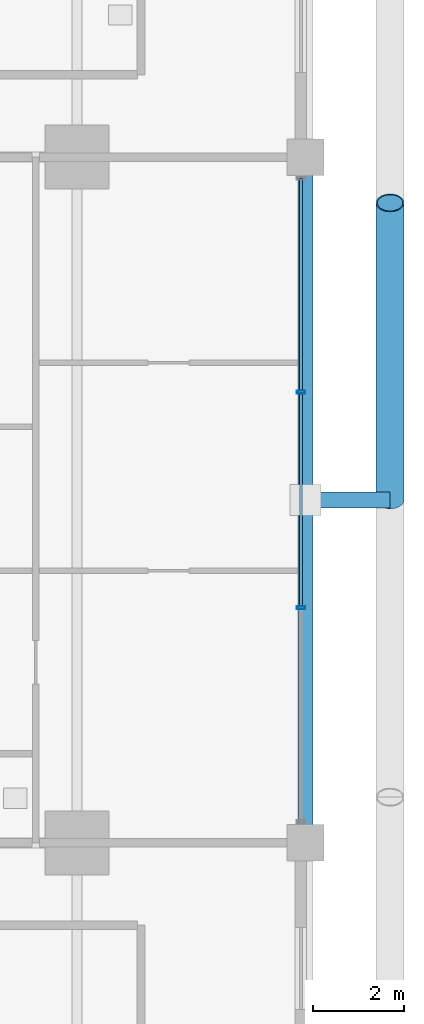
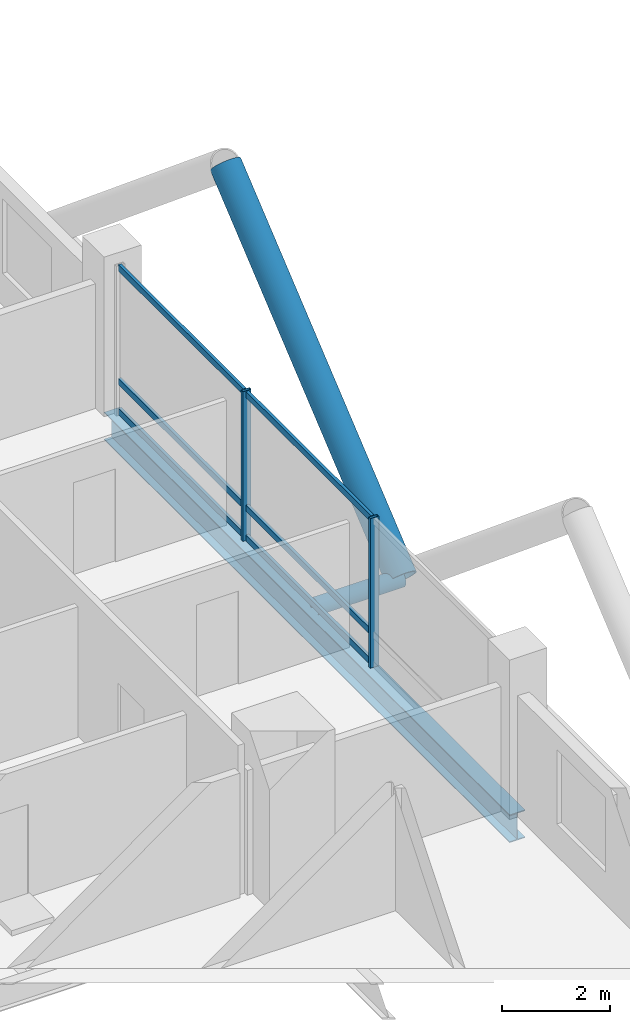
# One storey, part 12 of 27: 10 members, 1 beam, 1 element without a shape of its own.
"""IFC4 building model written with IfcOpenShell, lengths in metres."""

from ifc_helpers import new_model, si_unit, direction, frame, origin, origin_2d, place, context, subcontext, project, spatial, hollow_rectangle, hollow_circle, i_section, extrude, material, layer, layer_set, material_profile, profile_set, type_object, element, aggregate, save


model = new_model("IFC4")

# Units and contexts
model_context = context("Model", 3, precision=1e-05, world=origin(), true_north=direction((0.0, 1.0)))
body_context = subcontext(model_context, "Body", "Model", "MODEL_VIEW")
ifc_project = project(units=[si_unit("LENGTHUNIT", "METRE"), si_unit("AREAUNIT", "SQUARE_METRE"), si_unit("VOLUMEUNIT", "CUBIC_METRE"), si_unit("PLANEANGLEUNIT", "RADIAN"), si_unit("MASSUNIT", "GRAM", prefix="KILO")], contexts=[model_context])

# Site, building, storey
site_placement = place(None, origin())
site = spatial("IfcSite", under=ifc_project, at=site_placement, CompositionType="ELEMENT")
building_placement = place(site_placement, origin())
building = spatial("IfcBuilding", under=site, at=building_placement, Name="Barlavira Tower and Art Museum", CompositionType="ELEMENT")
storey_placement = place(building_placement, frame((0.0, 0.0, 50.39990234375)))
storey = spatial("IfcBuildingStorey", under=building, at=storey_placement, Name="L11", CompositionType="ELEMENT", Elevation=50.39990234375)

# Curtain wall, members
ifc_material_1 = material(Name="Low-iron coastal laminated glass", Category="glass")
ifc_layer = layer(ifc_material_1, 0.179931640625, Name="Low-iron coastal laminated glass")
ifc_layer_set = layer_set([ifc_layer], Name="Low-iron coastal laminated glass")
curtain_wall_type = type_object("IfcCurtainWallType", Name="Pale-Metal Unitised Curtain Wall Zone 1", PredefinedType="NOTDEFINED", material=ifc_layer_set)
curtain_wall_placement = place(storey_placement, origin())
curtain_wall = element("IfcCurtainWall", 1, at=curtain_wall_placement, inside=storey, type_object=curtain_wall_type, Name="L11 Curtain Wall CW1-L11-E-B3", PredefinedType="NOTDEFINED")
ifc_material_2 = material(Name="Pale anodised aluminium", Category="aluminium")
ifc_material_profile_1 = material_profile(ifc_material_2, hollow_rectangle(XDim=0.06494140625, YDim=0.179931640625, WallThickness=0.00390625, at=origin_2d()), Name="ALU-MULL 65x180x4")
ifc_profile_set_1 = profile_set([ifc_material_profile_1], Name="Pale anodised aluminium")
member_type_1 = type_object("IfcMemberType", Name="Curtain Wall Pale-Metal Mullion 65x180", PredefinedType="MULLION", material=ifc_profile_set_1)
member_1_placement = place(storey_placement, frame((21.89990234375, -2.360107421875, 0.0), z_axis=(0.0, 0.0, 1.0), x_axis=(0.0, 1.0, 0.0)))
member_1 = element("IfcMember", 2, at=member_1_placement, type_object=member_type_1, Name="CW1-L11-E-B3 Mullion 1", PredefinedType="MULLION", context=body_context, shape_type="SweptSolid", body=[
    extrude(hollow_rectangle(XDim=0.06494140625, YDim=0.179931640625, WallThickness=0.00390625, at=origin_2d()), origin(), (0.0, 0.0, 1.0), 3.380126953125),
])
member_2_placement = place(storey_placement, frame((21.89990234375, 2.360107421875, 0.0), z_axis=(0.0, 0.0, 1.0), x_axis=(0.0, 1.0, 0.0)))
member_2 = element("IfcMember", 3, at=member_2_placement, type_object=member_type_1, Name="CW1-L11-E-B3 Mullion 2", PredefinedType="MULLION", context=body_context, shape_type="SweptSolid", body=[
    extrude(hollow_rectangle(XDim=0.06494140625, YDim=0.179931640625, WallThickness=0.00390625, at=origin_2d()), origin(), (0.0, 0.0, 1.0), 3.380126953125),
])
ifc_material_profile_2 = material_profile(ifc_material_2, hollow_rectangle(XDim=0.06494140625, YDim=0.139892578125, WallThickness=0.00390625, at=origin_2d()), Name="ALU-TRAN 65x140x4")
ifc_profile_set_2 = profile_set([ifc_material_profile_2], Name="Pale anodised aluminium")
member_type_2 = type_object("IfcMemberType", Name="Curtain Wall Pale-Metal Transom 65x140", PredefinedType="USERDEFINED", material=ifc_profile_set_2)
member_3_placement = place(storey_placement, frame((21.89990234375, -2.31494140625, 0.070068359375), z_axis=(0.0, 1.0, 0.0), x_axis=(-1.0, 0.0, 0.0)))
member_3 = element("IfcMember", 4, at=member_3_placement, type_object=member_type_2, Name="CW1-L11-E-B3 Transom 1.1", ObjectType="TRANSOM", PredefinedType="USERDEFINED", context=body_context, shape_type="SweptSolid", body=[
    extrude(hollow_rectangle(XDim=0.06494140625, YDim=0.139892578125, WallThickness=0.00390625, at=origin_2d()), origin(), (0.0, 0.0, 1.0), 4.6298828125),
])
member_4_placement = place(storey_placement, frame((21.89990234375, -2.31494140625, 0.744140625), z_axis=(0.0, 1.0, 0.0), x_axis=(-1.0, 0.0, 0.0)))
member_4 = element("IfcMember", 5, at=member_4_placement, type_object=member_type_2, Name="CW1-L11-E-B3 Transom 1.2", ObjectType="TRANSOM", PredefinedType="USERDEFINED", context=body_context, shape_type="SweptSolid", body=[
    extrude(hollow_rectangle(XDim=0.06494140625, YDim=0.139892578125, WallThickness=0.00390625, at=origin_2d()), origin(), (0.0, 0.0, 1.0), 4.6298828125),
])
member_5_placement = place(storey_placement, frame((21.89990234375, -2.31494140625, 3.31005859375), z_axis=(0.0, 1.0, 0.0), x_axis=(-1.0, 0.0, 0.0)))
member_5 = element("IfcMember", 6, at=member_5_placement, type_object=member_type_2, Name="CW1-L11-E-B3 Transom 1.3", ObjectType="TRANSOM", PredefinedType="USERDEFINED", context=body_context, shape_type="SweptSolid", body=[
    extrude(hollow_rectangle(XDim=0.06494140625, YDim=0.139892578125, WallThickness=0.00390625, at=origin_2d()), origin(), (0.0, 0.0, 1.0), 4.6298828125),
])
member_6_placement = place(storey_placement, frame((21.89990234375, 2.405029296875, 0.070068359375), z_axis=(0.0, 1.0, 0.0), x_axis=(-1.0, 0.0, 0.0)))
member_6 = element("IfcMember", 7, at=member_6_placement, type_object=member_type_2, Name="CW1-L11-E-B3 Transom 2.1", ObjectType="TRANSOM", PredefinedType="USERDEFINED", context=body_context, shape_type="SweptSolid", body=[
    extrude(hollow_rectangle(XDim=0.06494140625, YDim=0.139892578125, WallThickness=0.00390625, at=origin_2d()), origin(), (0.0, 0.0, 1.0), 4.6298828125),
])
member_7_placement = place(storey_placement, frame((21.89990234375, 2.405029296875, 0.744140625), z_axis=(0.0, 1.0, 0.0), x_axis=(-1.0, 0.0, 0.0)))
member_7 = element("IfcMember", 8, at=member_7_placement, type_object=member_type_2, Name="CW1-L11-E-B3 Transom 2.2", ObjectType="TRANSOM", PredefinedType="USERDEFINED", context=body_context, shape_type="SweptSolid", body=[
    extrude(hollow_rectangle(XDim=0.06494140625, YDim=0.139892578125, WallThickness=0.00390625, at=origin_2d()), origin(), (0.0, 0.0, 1.0), 4.6298828125),
])
member_8_placement = place(storey_placement, frame((21.89990234375, 2.405029296875, 3.31005859375), z_axis=(0.0, 1.0, 0.0), x_axis=(-1.0, 0.0, 0.0)))
member_8 = element("IfcMember", 9, at=member_8_placement, type_object=member_type_2, Name="CW1-L11-E-B3 Transom 2.3", ObjectType="TRANSOM", PredefinedType="USERDEFINED", context=body_context, shape_type="SweptSolid", body=[
    extrude(hollow_rectangle(XDim=0.06494140625, YDim=0.139892578125, WallThickness=0.00390625, at=origin_2d()), origin(), (0.0, 0.0, 1.0), 4.6298828125),
])
aggregate(curtain_wall, [member_1, member_2, member_3, member_4, member_5, member_6, member_7, member_8])

# Members
ifc_material_3 = material(Name="Steel S355", Category="steel")
ifc_material_profile_3 = material_profile(ifc_material_3, hollow_circle(Radius=0.304931640625, WallThickness=0.028076171875, at=origin_2d()), Name="CHS 610.0x28.0")
ifc_profile_set_3 = profile_set([ifc_material_profile_3], Name="Steel S355")
member_type_3 = type_object("IfcMemberType", Name="Pale-Metal Exoskeleton Diagrid Tube CHS 610x28 Steel S355", PredefinedType="BRACE", material=ifc_profile_set_3)
member_9_placement = place(storey_placement, frame((23.85009765625, 0.0, -0.119873046875), z_axis=(0.0, 0.769196053329, 0.639012857104), x_axis=(-1.0, 0.0, 0.0)))
element("IfcMember", 10, at=member_9_placement, inside=storey, type_object=member_type_3, Name="L11 Exoskeleton Diagrid Tube E", PredefinedType="BRACE", context=body_context, shape_type="SweptSolid", body=[
    extrude(hollow_circle(Radius=0.304931640625, WallThickness=0.028076171875, at=origin_2d()), origin(), (0.0, 0.0, 1.0), 8.450439453125),
])
ifc_material_profile_4 = material_profile(ifc_material_3, hollow_circle(Radius=0.177734375, WallThickness=0.01611328125, at=origin_2d()), Name="CHS 355.6x16.0")
ifc_profile_set_4 = profile_set([ifc_material_profile_4], Name="Steel S355")
member_type_4 = type_object("IfcMemberType", Name="Pale-Metal Exoskeleton Tie Strut CHS 356x16 Steel S355", PredefinedType="STRUT", material=ifc_profile_set_4)
member_10_placement = place(storey_placement, frame((23.85009765625, 0.0, -0.119873046875), z_axis=(-1.0, 0.0, 0.0), x_axis=(0.0, -1.0, 0.0)))
element("IfcMember", 11, at=member_10_placement, inside=storey, type_object=member_type_4, Name="L11 Exoskeleton Tie Strut E2", PredefinedType="STRUT", context=body_context, shape_type="SweptSolid", body=[
    extrude(hollow_circle(Radius=0.177734375, WallThickness=0.01611328125, at=origin_2d()), origin(), (0.0, 0.0, 1.0), 1.85009765625),
])

# Beam
ifc_material_profile_5 = material_profile(ifc_material_3, i_section(OverallWidth=0.327880859375, OverallDepth=0.62890625, WebThickness=0.013916015625, FlangeThickness=0.021484375, at=origin_2d()), Name="W610x174.0")
ifc_profile_set_5 = profile_set([ifc_material_profile_5], Name="Steel S355")
beam_type = type_object("IfcBeamType", Name="Perimeter Spandrel Edge Beam W610x174 Steel S355", PredefinedType="SPANDREL", material=ifc_profile_set_5)
beam_placement = place(storey_placement, frame((22.0, -7.5, -0.534423828125), z_axis=(0.0, 1.0, 0.0), x_axis=(-1.0, 0.0, 0.0)))
element("IfcBeam", 12, at=beam_placement, inside=storey, type_object=beam_type, Name="L11 Spandrel 6", PredefinedType="SPANDREL", context=body_context, shape_type="SweptSolid", body=[
    extrude(i_section(OverallWidth=0.327880859375, OverallDepth=0.62890625, WebThickness=0.013916015625, FlangeThickness=0.021484375, at=origin_2d()), origin(), (0.0, 0.0, 1.0), 15.0),
])

save(model, "model.ifc")
